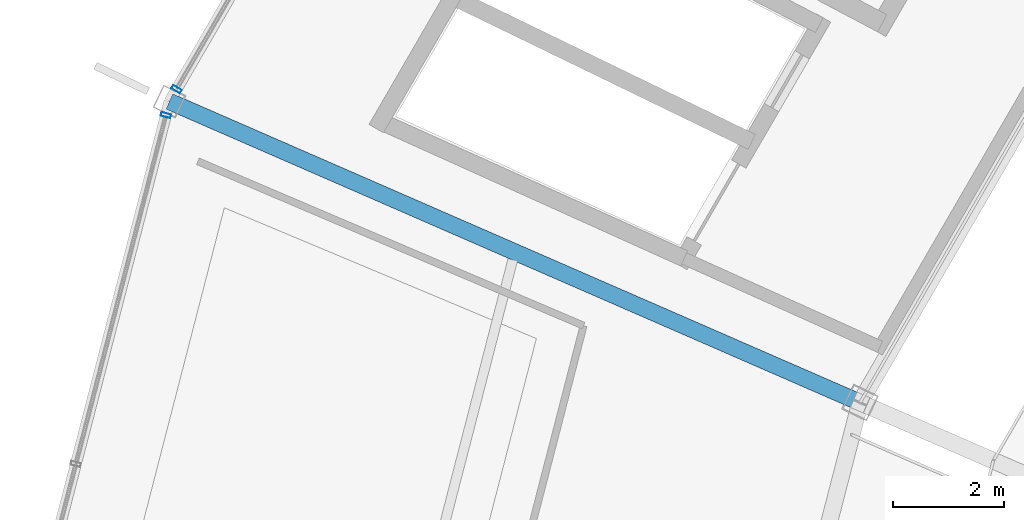
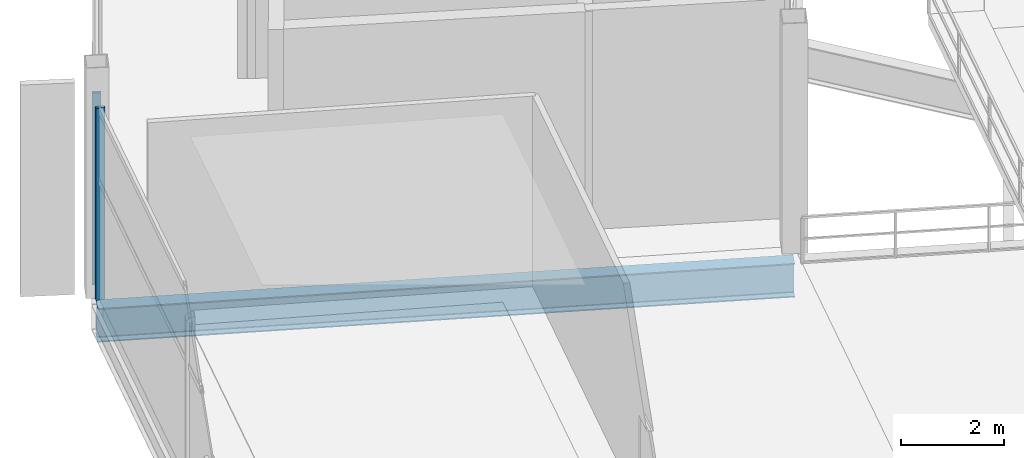
# One storey, part 55 of 186: 2 members, 1 beam, 2 elements without a shape of their own.
"""IFC4 building model written with IfcOpenShell, lengths in metres."""

from ifc_helpers import new_model, si_unit, direction, frame, origin, origin_2d, place, context, subcontext, project, spatial, hollow_rectangle, i_section, extrude, material, layer, layer_set, material_profile, profile_set, type_object, element, aggregate, save


model = new_model("IFC4")

# Units and contexts
model_context = context("Model", 3, precision=1e-05, world=origin(), true_north=direction((0.0, 1.0)))
body_context = subcontext(model_context, "Body", "Model", "MODEL_VIEW")
ifc_project = project(units=[si_unit("LENGTHUNIT", "METRE"), si_unit("AREAUNIT", "SQUARE_METRE"), si_unit("VOLUMEUNIT", "CUBIC_METRE"), si_unit("PLANEANGLEUNIT", "RADIAN"), si_unit("MASSUNIT", "GRAM", prefix="KILO")], contexts=[model_context])

# Site, building, storey
site_placement = place(None, origin())
site = spatial("IfcSite", under=ifc_project, at=site_placement, CompositionType="ELEMENT")
building_placement = place(site_placement, origin())
building = spatial("IfcBuilding", under=site, at=building_placement, Name="Kazemori Nagisa Stadium", CompositionType="ELEMENT")
storey_placement = place(building_placement, frame((0.0, 0.0, 20.39990234375)))
storey = spatial("IfcBuildingStorey", under=building, at=storey_placement, Name="L04", CompositionType="ELEMENT", Elevation=20.39990234375)

# Beam
ifc_material_1 = material(Name="Steel SN490B", Category="steel")
ifc_material_profile_1 = material_profile(ifc_material_1, i_section(OverallWidth=0.300048828125, OverallDepth=0.800048828125, WebThickness=0.013916015625, FlangeThickness=0.02587890625, FilletRadius=0.01806640625, at=origin_2d()), Name="H-800x300x14x26")
ifc_profile_set_1 = profile_set([ifc_material_profile_1], Name="Steel SN490B")
beam_type = type_object("IfcBeamType", Name="Beam_BG-H800", PredefinedType="BEAM", material=ifc_profile_set_1)
beam_placement = place(storey_placement, frame((46.55908203125, 135.32470703125, -0.699951171875), z_axis=(-0.916683633521, 0.399613708517, 0.0), x_axis=(-0.399613708517, -0.916683633521, 0.0)))
element("IfcBeam", 1, at=beam_placement, inside=storey, type_object=beam_type, Name="Radial girder BG-H800 L04 R2-R3-13", PredefinedType="BEAM", context=body_context, shape_type="SweptSolid", body=[
    extrude(i_section(OverallWidth=0.300048828125, OverallDepth=0.800048828125, WebThickness=0.013916015625, FlangeThickness=0.02587890625, FilletRadius=0.01806640625, at=origin_2d()), origin(), (0.0, 0.0, 1.0), 13.5751953125),
])

# Curtain wall, member
ifc_material_2 = material(Name="Anodised aluminium 6063-T5", Category="aluminium")
ifc_layer_1 = layer(ifc_material_2, 0.179931640625, Name="Anodised aluminium 6063-T5", Category="aluminium")
ifc_layer_set_1 = layer_set([ifc_layer_1], Name="Anodised aluminium 6063-T5")
curtain_wall_type_1 = type_object("IfcCurtainWallType", Name="CW_L04R3_101", PredefinedType="USERDEFINED", material=ifc_layer_set_1)
curtain_wall_1_placement = place(storey_placement, origin())
curtain_wall_1 = element("IfcCurtainWall", 2, at=curtain_wall_1_placement, inside=storey, type_object=curtain_wall_type_1, Name="Unitised curtain wall CW-L04R3-101 L04", ObjectType="UNITISED CURTAIN WALL", PredefinedType="USERDEFINED")
ifc_material_3 = material(Name="Aluminium 6063-T5 anodised", Category="aluminium")
ifc_material_profile_2 = material_profile(ifc_material_3, hollow_rectangle(XDim=0.070068359375, YDim=0.179931640625, WallThickness=0.00390625, at=origin_2d()), Name="ALU-MULL-70x180x4")
ifc_profile_set_2 = profile_set([ifc_material_profile_2], Name="Aluminium 6063-T5 anodised")
member_type = type_object("IfcMemberType", Name="Mullion_M01", PredefinedType="MULLION", material=ifc_profile_set_2)
member_1_placement = place(storey_placement, frame((34.242919921875, 140.97021484375, 0.0), z_axis=(0.0, 0.0, 1.0), x_axis=(-0.501611590054, -0.865092950337, 0.0)))
member_1 = element("IfcMember", 3, at=member_1_placement, type_object=member_type, Name="Curtain wall mullion CW-L04R3-101-M4", PredefinedType="MULLION", context=body_context, shape_type="SweptSolid", body=[
    extrude(hollow_rectangle(XDim=0.070068359375, YDim=0.179931640625, WallThickness=0.00390625, at=origin_2d()), origin(), (0.0, 0.0, 1.0), 4.530029296875),
])
aggregate(curtain_wall_1, [member_1])

ifc_layer_2 = layer(ifc_material_2, 0.179931640625, Name="Anodised aluminium 6063-T5", Category="aluminium")
ifc_layer_set_2 = layer_set([ifc_layer_2], Name="Anodised aluminium 6063-T5")
curtain_wall_type_2 = type_object("IfcCurtainWallType", Name="CW_L04R3_98", PredefinedType="USERDEFINED", material=ifc_layer_set_2)
curtain_wall_2_placement = place(storey_placement, origin())
curtain_wall_2 = element("IfcCurtainWall", 4, at=curtain_wall_2_placement, inside=storey, type_object=curtain_wall_type_2, Name="Unitised curtain wall CW-L04R3-98 L04", ObjectType="UNITISED CURTAIN WALL", PredefinedType="USERDEFINED")
member_2_placement = place(storey_placement, frame((34.05126953125, 140.502685546875, 0.0), z_axis=(0.0, 0.0, 1.0), x_axis=(-0.249964642418, -0.968254965152, 0.0)))
member_2 = element("IfcMember", 5, at=member_2_placement, type_object=member_type, Name="Curtain wall mullion CW-L04R3-98-M1", PredefinedType="MULLION", context=body_context, shape_type="SweptSolid", body=[
    extrude(hollow_rectangle(XDim=0.070068359375, YDim=0.179931640625, WallThickness=0.00390625, at=origin_2d()), origin(), (0.0, 0.0, 1.0), 4.530029296875),
])
aggregate(curtain_wall_2, [member_2])

save(model, "model.ifc")
